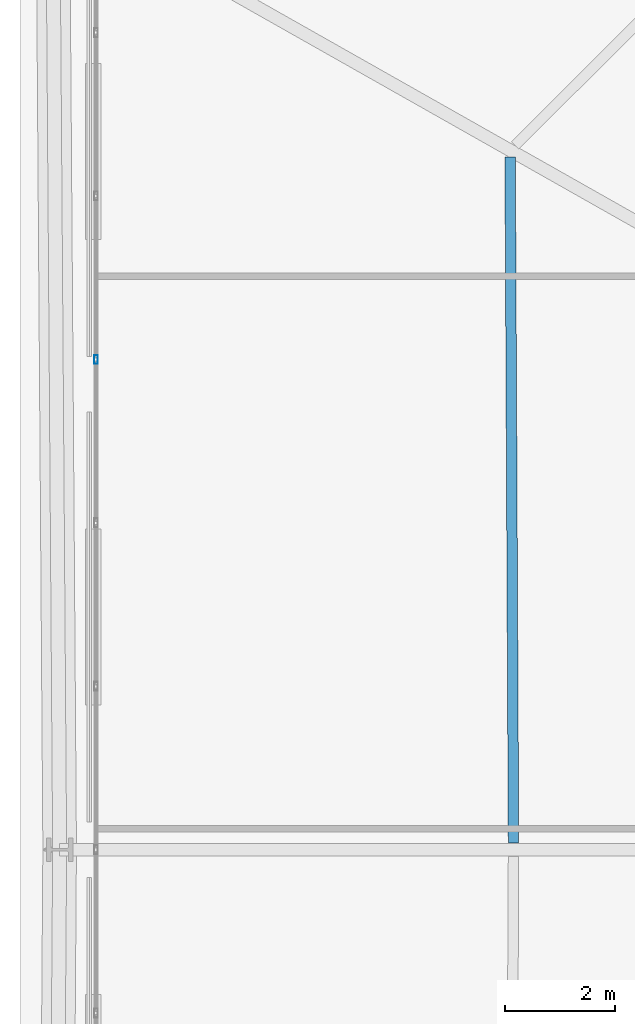
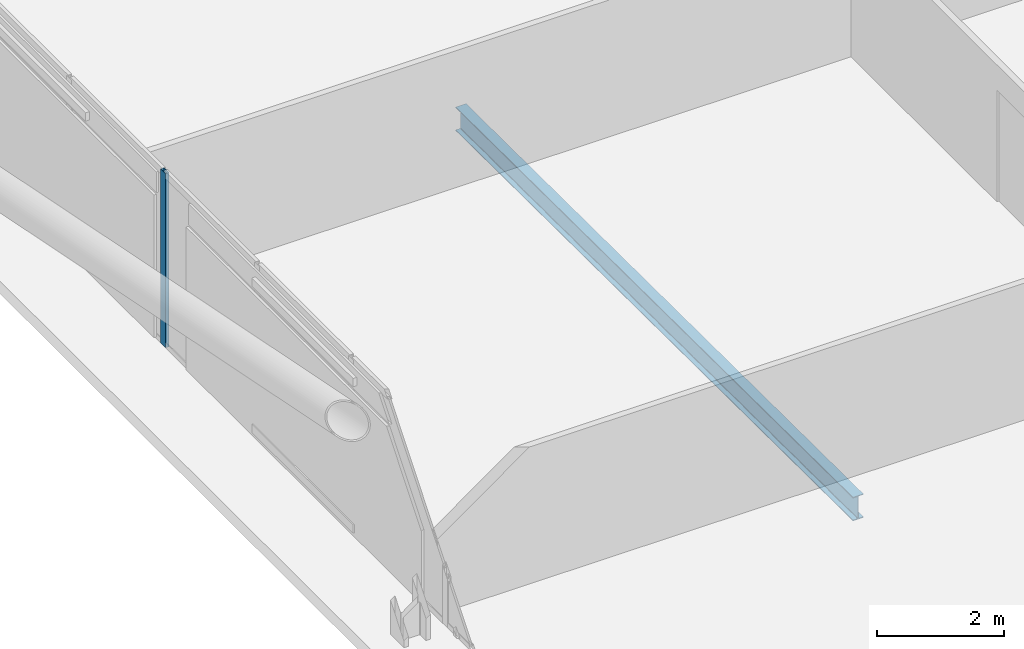
# One storey, part 17 of 50: 1 beam, 1 member, 1 element without a shape of its own.
"""IFC4 building model written with IfcOpenShell, lengths in metres."""

from ifc_helpers import new_model, si_unit, direction, frame, origin, origin_2d, place, context, subcontext, project, spatial, hollow_rectangle, i_section, extrude, material, layer, layer_set, material_profile, profile_set, type_object, element, aggregate, save


model = new_model("IFC4")

# Units and contexts
model_context = context("Model", 3, precision=1e-05, world=origin(), true_north=direction((0.0, 1.0)))
body_context = subcontext(model_context, "Body", "Model", "MODEL_VIEW")
ifc_project = project(units=[si_unit("LENGTHUNIT", "METRE"), si_unit("AREAUNIT", "SQUARE_METRE"), si_unit("VOLUMEUNIT", "CUBIC_METRE"), si_unit("PLANEANGLEUNIT", "RADIAN"), si_unit("MASSUNIT", "GRAM", prefix="KILO")], contexts=[model_context])

# Site, building, storey
site_placement = place(None, origin())
site = spatial("IfcSite", under=ifc_project, at=site_placement, CompositionType="ELEMENT")
building_placement = place(site_placement, origin())
building = spatial("IfcBuilding", under=site, at=building_placement, Name="Caelvoria Tower", CompositionType="ELEMENT")
storey_placement = place(building_placement, frame((0.0, 0.0, 71.199951171875)))
storey = spatial("IfcBuildingStorey", under=building, at=storey_placement, Name="L18", CompositionType="ELEMENT", Elevation=71.199951171875)

# Curtain wall, member
ifc_material_1 = material(Name="Anodised Bronze Aluminium and Low-E Glass", Category="aluminium")
ifc_layer = layer(ifc_material_1, 0.18505859375, Name="Anodised Bronze Aluminium and Low-E Glass")
ifc_layer_set = layer_set([ifc_layer], Name="CW System 2 Lower Tower Bronze Unitised Facade - Anodised Bronze Aluminium and Low-E Glass")
curtain_wall_type = type_object("IfcCurtainWallType", Name="CW System 2 Lower Tower Bronze Unitised Facade", PredefinedType="NOTDEFINED", material=ifc_layer_set)
curtain_wall_placement = place(storey_placement, origin())
curtain_wall = element("IfcCurtainWall", 1, at=curtain_wall_placement, inside=storey, type_object=curtain_wall_type, Name="CW-02 Curtain Wall L18-E6", PredefinedType="NOTDEFINED")
ifc_material_2 = material(Name="Anodised Bronze Architectural Aluminium", Category="aluminium")
ifc_material_profile_1 = material_profile(ifc_material_2, hollow_rectangle(XDim=0.06494140625, YDim=0.159912109375, WallThickness=0.00390625, at=origin_2d()), Name="Anodised Bronze Architectural Aluminium")
ifc_profile_set_1 = profile_set([ifc_material_profile_1], Name="CW_MULL_65X160 - Anodised Bronze Architectural Aluminium")
member_type = type_object("IfcMemberType", Name="Curtain Wall Mullion 65x160 Bronze Aluminium", PredefinedType="MULLION", material=ifc_profile_set_1)
member_placement = place(storey_placement, frame((21.179931640625, 40.89990234375, 0.0), z_axis=(0.0, 0.0, 1.0), x_axis=(1.0, 0.0, 0.0)))
member = element("IfcMember", 2, at=member_placement, type_object=member_type, Name="CW-02 mullion 4", PredefinedType="MULLION", context=body_context, shape_type="SweptSolid", body=[
    extrude(hollow_rectangle(XDim=0.06494140625, YDim=0.159912109375, WallThickness=0.00390625, at=origin_2d()), origin(), (0.0, 0.0, 1.0), 3.360107421875),
])
aggregate(curtain_wall, [member])

# Beam
ifc_material_3 = material(Name="Structural Steel ASTM A992 Gr.50", Category="steel")
ifc_material_profile_2 = material_profile(ifc_material_3, i_section(OverallWidth=0.18994140625, OverallDepth=0.45703125, WebThickness=0.009033203125, FlangeThickness=0.014404296875, FilletRadius=0.014892578125, at=origin_2d()), Name="Structural Steel ASTM A992 Gr.50")
ifc_profile_set_2 = profile_set([ifc_material_profile_2], Name="W460X74 - Structural Steel ASTM A992 Gr.50")
beam_type = type_object("IfcBeamType", Name="Secondary Floor Beam W460X74", PredefinedType="BEAM", material=ifc_profile_set_2)
beam_placement = place(storey_placement, frame((28.698486328125, 44.57275390625, -0.468505859375), z_axis=(0.004903247847, -0.999987979008, 0.0), x_axis=(0.999987979008, 0.004903247847, 0.0)))
element("IfcBeam", 3, at=beam_placement, inside=storey, type_object=beam_type, Name="Secondary Floor Beam L18-09", PredefinedType="BEAM", context=body_context, shape_type="SweptSolid", body=[
    extrude(i_section(OverallWidth=0.18994140625, OverallDepth=0.45703125, WebThickness=0.009033203125, FlangeThickness=0.014404296875, FilletRadius=0.014892578125, at=origin_2d()), origin(), (0.0, 0.0, 1.0), 12.447998046875),
])

save(model, "model.ifc")
